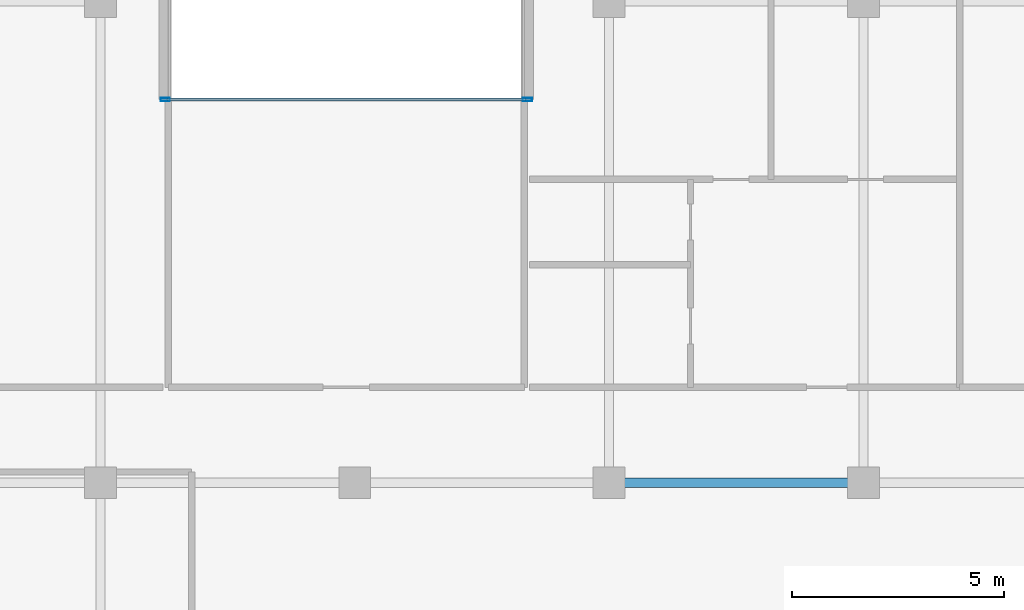
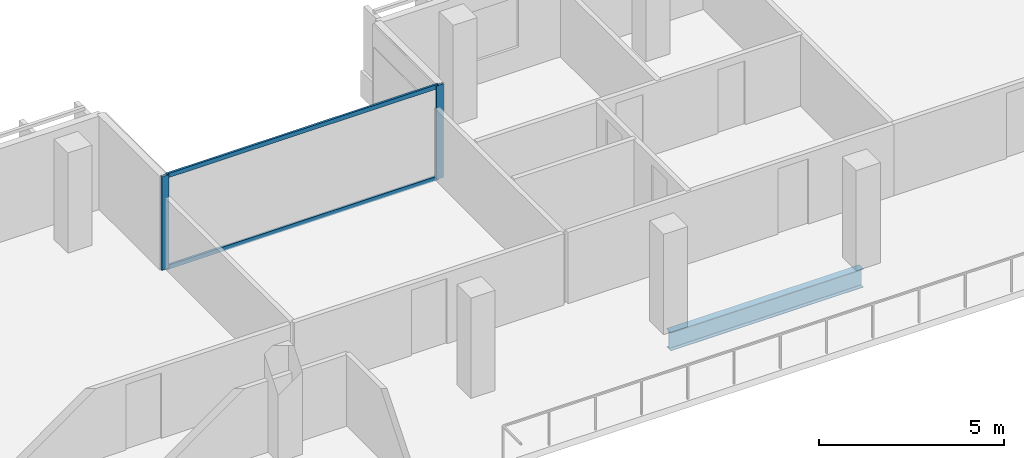
# One storey, part 8 of 25: 4 members, 1 beam, 1 element without a shape of its own.
"""IFC4 building model written with IfcOpenShell, lengths in metres."""

from ifc_helpers import new_model, si_unit, direction, frame, origin, origin_2d, place, context, subcontext, project, spatial, hollow_rectangle, i_section, extrude, material, layer, layer_set, material_profile, profile_set, type_object, element, aggregate, save


model = new_model("IFC4")

# Units and contexts
model_context = context("Model", 3, precision=1e-05, world=origin(), true_north=direction((0.0, 1.0)))
body_context = subcontext(model_context, "Body", "Model", "MODEL_VIEW")
ifc_project = project(units=[si_unit("LENGTHUNIT", "METRE"), si_unit("AREAUNIT", "SQUARE_METRE"), si_unit("VOLUMEUNIT", "CUBIC_METRE"), si_unit("PLANEANGLEUNIT", "RADIAN"), si_unit("MASSUNIT", "GRAM", prefix="KILO")], contexts=[model_context])

# Site, building, storey
site_placement = place(None, origin())
site = spatial("IfcSite", under=ifc_project, at=site_placement, CompositionType="ELEMENT")
building_placement = place(site_placement, origin())
building = spatial("IfcBuilding", under=site, at=building_placement, Name="Tanjung Sevakor Pilgrim Tower", CompositionType="ELEMENT")
storey_placement = place(building_placement, frame((0.0, 0.0, 204.929931640625)))
storey = spatial("IfcBuildingStorey", under=building, at=storey_placement, Name="L57", CompositionType="ELEMENT", Elevation=204.929931640625)

# Beam
ifc_material_1 = material(Name="Steel S355J2", Category="steel")
ifc_material_profile_1 = material_profile(ifc_material_1, i_section(OverallWidth=0.22900390625, OverallDepth=0.6123046875, WebThickness=0.011962890625, FlangeThickness=0.01953125, FilletRadius=0.0126953125, at=origin_2d()))
ifc_profile_set_1 = profile_set([ifc_material_profile_1], Name="Steel S355J2")
beam_type = type_object("IfcBeamType", Name="BM-B-G4-UB_610x229x125", PredefinedType="BEAM", material=ifc_profile_set_1)
beam_placement = place(storey_placement, frame((54.0, 42.60009765625, -0.526123046875), z_axis=(1.0, 0.0, 0.0), x_axis=(0.0, 1.0, 0.0)))
element("IfcBeam", 1, at=beam_placement, inside=storey, type_object=beam_type, Name="L57 Primary Floor Girder MAIN Y426-05", PredefinedType="BEAM", context=body_context, shape_type="SweptSolid", body=[
    extrude(i_section(OverallWidth=0.22900390625, OverallDepth=0.6123046875, WebThickness=0.011962890625, FlangeThickness=0.01953125, FilletRadius=0.0126953125, at=origin_2d()), origin(), (0.0, 0.0, 1.0), 6.0),
])

# Curtain wall, members
ifc_material_2 = material(Name="Aluminium 6063-T6 and Low-E Glass", Category="aluminium")
ifc_layer = layer(ifc_material_2, 0.179931640625)
ifc_layer_set = layer_set([ifc_layer], Name="CW-SYS-CLEFT")
curtain_wall_type = type_object("IfcCurtainWallType", Name="CW-SYS-CLEFT", PredefinedType="NOTDEFINED", material=ifc_layer_set)
curtain_wall_placement = place(storey_placement, origin())
curtain_wall = element("IfcCurtainWall", 2, at=curtain_wall_placement, inside=storey, type_object=curtain_wall_type, Name="L57 Curtain Wall CW-CLF-L57-10", PredefinedType="NOTDEFINED")
ifc_material_3 = material(Name="Aluminium 6063-T6", Category="aluminium")
ifc_material_profile_2 = material_profile(ifc_material_3, hollow_rectangle(XDim=0.074951171875, YDim=0.219970703125, WallThickness=0.0048828125, at=origin_2d()))
ifc_profile_set_2 = profile_set([ifc_material_profile_2], Name="Aluminium 6063-T6")
member_type_1 = type_object("IfcMemberType", Name="TYPE-CWM-2", PredefinedType="MULLION", material=ifc_profile_set_2)
member_1_placement = place(storey_placement, frame((52.072509765625, 51.639892578125, 0.0), z_axis=(0.0, 0.0, 1.0), x_axis=(0.0, -1.0, 0.0)))
member_1 = element("IfcMember", 3, at=member_1_placement, type_object=member_type_1, Name="CW-CLF mullion 1", PredefinedType="MULLION", context=body_context, shape_type="SweptSolid", body=[
    extrude(hollow_rectangle(XDim=0.074951171875, YDim=0.219970703125, WallThickness=0.0048828125, at=origin_2d()), origin(), (0.0, 0.0, 1.0), 3.080078125),
])
member_2_placement = place(storey_placement, frame((43.527587890625, 51.639892578125, 0.0), z_axis=(0.0, 0.0, 1.0), x_axis=(0.0, -1.0, 0.0)))
member_2 = element("IfcMember", 4, at=member_2_placement, type_object=member_type_1, Name="CW-CLF mullion 2", PredefinedType="MULLION", context=body_context, shape_type="SweptSolid", body=[
    extrude(hollow_rectangle(XDim=0.074951171875, YDim=0.219970703125, WallThickness=0.0048828125, at=origin_2d()), origin(), (0.0, 0.0, 1.0), 3.080078125),
])
ifc_material_4 = material(Name="Aluminium 6063-T6", Category="aluminium")
ifc_material_profile_3 = material_profile(ifc_material_4, hollow_rectangle(XDim=0.06494140625, YDim=0.139892578125, WallThickness=0.00390625, at=origin_2d()))
ifc_profile_set_3 = profile_set([ifc_material_profile_3], Name="Aluminium 6063-T6")
member_type_2 = type_object("IfcMemberType", Name="TYPE-CWT-1", PredefinedType="USERDEFINED", material=ifc_profile_set_3)
member_3_placement = place(storey_placement, frame((52.034912109375, 51.639892578125, 0.032470703125), z_axis=(-1.0, 0.0, 0.0), x_axis=(0.0, -1.0, 0.0)))
member_3 = element("IfcMember", 5, at=member_3_placement, type_object=member_type_2, Name="CW-CLF transom 1.1", ObjectType="TRANSOM", PredefinedType="USERDEFINED", context=body_context, shape_type="SweptSolid", body=[
    extrude(hollow_rectangle(XDim=0.06494140625, YDim=0.139892578125, WallThickness=0.00390625, at=origin_2d()), origin(), (0.0, 0.0, 1.0), 8.469970703125),
])
member_4_placement = place(storey_placement, frame((52.034912109375, 51.639892578125, 3.047607421875), z_axis=(-1.0, 0.0, 0.0), x_axis=(0.0, -1.0, 0.0)))
member_4 = element("IfcMember", 6, at=member_4_placement, type_object=member_type_2, Name="CW-CLF transom 1.2", ObjectType="TRANSOM", PredefinedType="USERDEFINED", context=body_context, shape_type="SweptSolid", body=[
    extrude(hollow_rectangle(XDim=0.06494140625, YDim=0.139892578125, WallThickness=0.00390625, at=origin_2d()), origin(), (0.0, 0.0, 1.0), 8.469970703125),
])
aggregate(curtain_wall, [member_1, member_2, member_3, member_4])

save(model, "model.ifc")
